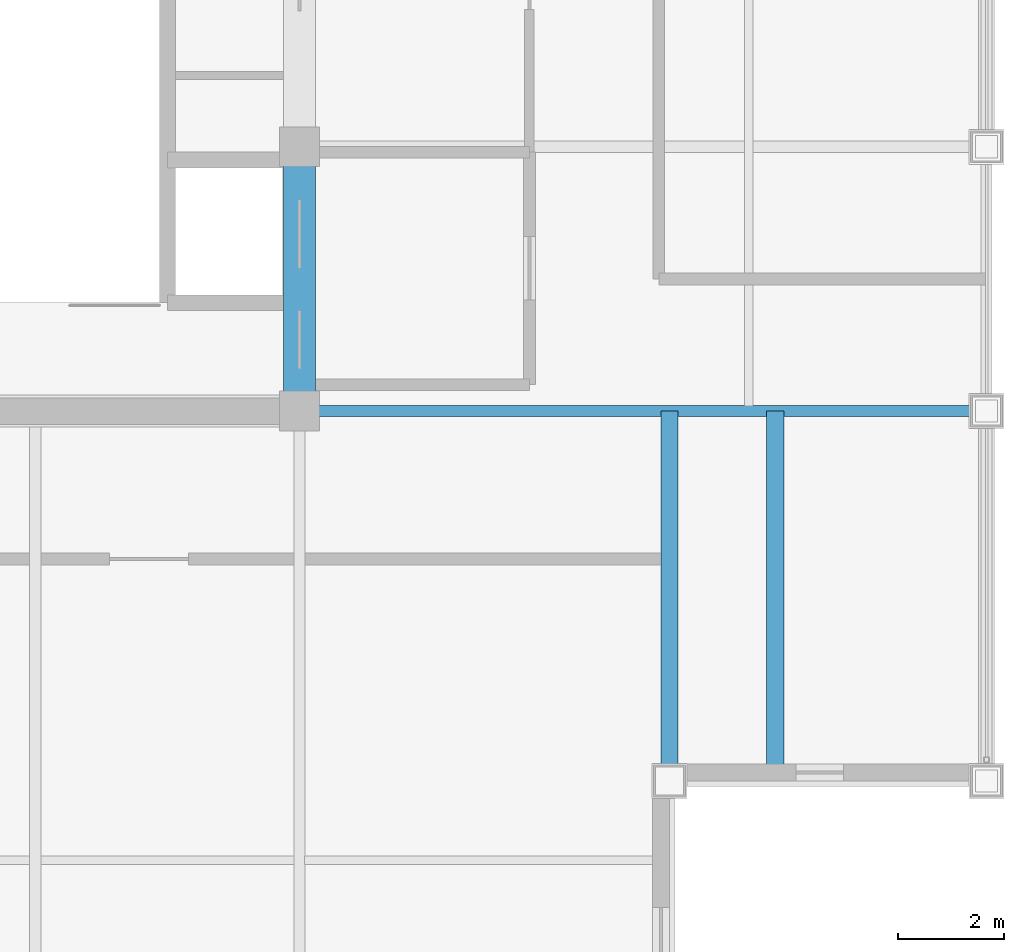
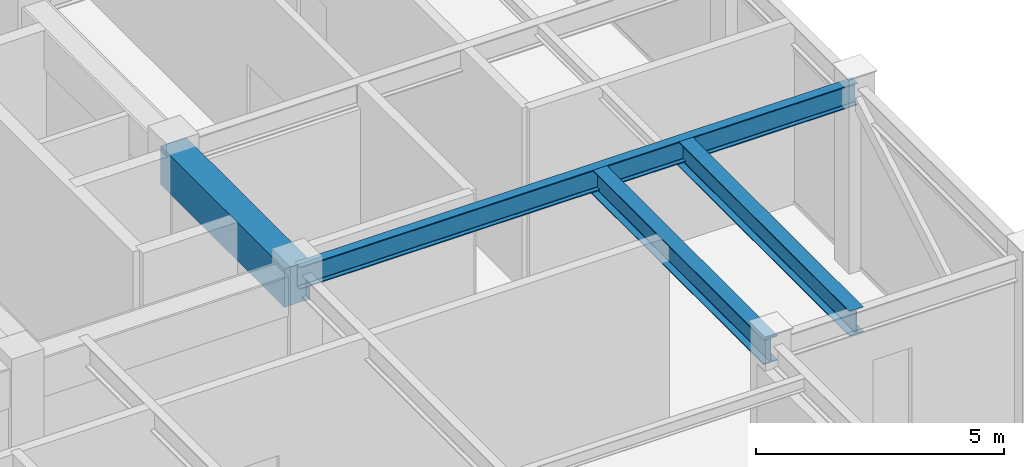
# One storey, part 9 of 27: 4 beams.
"""IFC4 building model written with IfcOpenShell, lengths in metres."""

from ifc_helpers import new_model, si_unit, direction, frame, origin, origin_2d, place, context, subcontext, project, spatial, rectangle, i_section, extrude, source, transform, mapped, material, material_profile, profile_set, type_object, element, save


model = new_model("IFC4")

# Units and contexts
model_context = context("Model", 3, precision=1e-05, world=origin(), true_north=direction((0.0, 1.0)))
body_context = subcontext(model_context, "Body", "Model", "MODEL_VIEW")
ifc_project = project(units=[si_unit("LENGTHUNIT", "METRE"), si_unit("AREAUNIT", "SQUARE_METRE"), si_unit("VOLUMEUNIT", "CUBIC_METRE"), si_unit("PLANEANGLEUNIT", "RADIAN"), si_unit("MASSUNIT", "GRAM", prefix="KILO")], contexts=[model_context])

# Site, building, storey
site_placement = place(None, origin())
site = spatial("IfcSite", under=ifc_project, at=site_placement, CompositionType="ELEMENT")
building_placement = place(site_placement, origin())
building = spatial("IfcBuilding", under=site, at=building_placement, Name="Khorayat Bourse Tower", CompositionType="ELEMENT")
storey_placement = place(building_placement, frame((0.0, 0.0, 399.5)))
storey = spatial("IfcBuildingStorey", under=building, at=storey_placement, Name="L94", CompositionType="ELEMENT", Elevation=399.5)

# Beams
ifc_material_1 = material(Name="Concrete C60/75", Category="concrete")
ifc_material_profile_1 = material_profile(ifc_material_1, rectangle(XDim=0.60009765625, YDim=0.949951171875, at=origin_2d()), Name="RC 600x950")
ifc_profile_set_1 = profile_set([ifc_material_profile_1], Name="Concrete C60/75")
beam_type_1 = type_object("IfcBeamType", Name="BM-COUP-950", PredefinedType="BEAM", material=ifc_profile_set_1)
shared_shape_1 = source(origin(), body_context, "Body", "SweptSolid", [
    extrude(rectangle(XDim=0.60009765625, YDim=0.949951171875, at=origin_2d()), origin(), (0.0, 0.0, 1.0), 5.0),
])
beam_1_placement = place(storey_placement, frame((11.0, -11.0, 4.02490234375), z_axis=(0.0, 1.0, 0.0), x_axis=(-1.0, 0.0, 0.0)))
element("IfcBeam", 1, at=beam_1_placement, inside=storey, type_object=beam_type_1, Name="L94 BM-COUP-950 BM-L94-CRX-13", PredefinedType="BEAM", context=body_context, shape_type="MappedRepresentation", body=[
    mapped(shared_shape_1, transform((0.0, 0.0, 0.0), scale=1.0)),
])
ifc_material_2 = material(Name="Steel ASTM A992 Grade 50", Category="steel")
ifc_material_profile_2 = material_profile(ifc_material_2, i_section(OverallWidth=0.214111328125, OverallDepth=0.549072265625, WebThickness=0.0146484375, FlangeThickness=0.023681640625, FilletRadius=0.013916015625, at=origin_2d()), Name="W530X138")
ifc_profile_set_2 = profile_set([ifc_material_profile_2], Name="Steel ASTM A992 Grade 50")
beam_type_2 = type_object("IfcBeamType", Name="BM-GIRD-530", PredefinedType="BEAM", material=ifc_profile_set_2)
shared_shape_2 = source(origin(), body_context, "Body", "SweptSolid", [
    extrude(i_section(OverallWidth=0.214111328125, OverallDepth=0.549072265625, WebThickness=0.0146484375, FlangeThickness=0.023681640625, FilletRadius=0.013916015625, at=origin_2d()), origin(), (0.0, 0.0, 1.0), 13.0),
])
beam_2_placement = place(storey_placement, frame((11.0, -11.0, 4.2255859375), z_axis=(1.0, 0.0, 0.0), x_axis=(0.0, 1.0, 0.0)))
element("IfcBeam", 2, at=beam_2_placement, inside=storey, type_object=beam_type_2, Name="L94 BM-GIRD-530 BM-L94-RADX-066", PredefinedType="BEAM", context=body_context, shape_type="MappedRepresentation", body=[
    mapped(shared_shape_2, transform((0.0, 0.0, 0.0), scale=1.0)),
])
ifc_material_profile_3 = material_profile(ifc_material_2, i_section(OverallWidth=0.324951171875, OverallDepth=0.615966796875, WebThickness=0.013916015625, FlangeThickness=0.021484375, FilletRadius=0.01611328125, at=origin_2d()), Name="W610X174")
ifc_profile_set_3 = profile_set([ifc_material_profile_3], Name="Steel ASTM A992 Grade 50")
beam_type_3 = type_object("IfcBeamType", Name="BM-GIRD-610", PredefinedType="BEAM", material=ifc_profile_set_3)
shared_shape_3 = source(origin(), body_context, "Body", "SweptSolid", [
    extrude(i_section(OverallWidth=0.324951171875, OverallDepth=0.615966796875, WebThickness=0.013916015625, FlangeThickness=0.021484375, FilletRadius=0.01611328125, at=origin_2d()), origin(), (0.0, 0.0, 1.0), 7.0),
])
for number, where, z_axis, x_axis, name in (
    (3, (18.0, -18.0, 4.19189453125), (0.0, 1.0, 0.0), (-1.0, 0.0, 0.0), "L94 BM-GIRD-610 BM-L94-CNRY-078"),
    (4, (20.0, -18.0, 4.19189453125), (0.0, 1.0, 0.0), (-1.0, 0.0, 0.0), "L94 BM-GIRD-610 BM-L94-CNRY-082"),
):
    element("IfcBeam", number, at=place(storey_placement, frame(where, z_axis=z_axis, x_axis=x_axis)), inside=storey, type_object=beam_type_3, Name=name, PredefinedType="BEAM", context=body_context, shape_type="MappedRepresentation", body=[
        mapped(shared_shape_3, transform((0.0, 0.0, 0.0), scale=1.0)),
    ])

save(model, "model.ifc")
